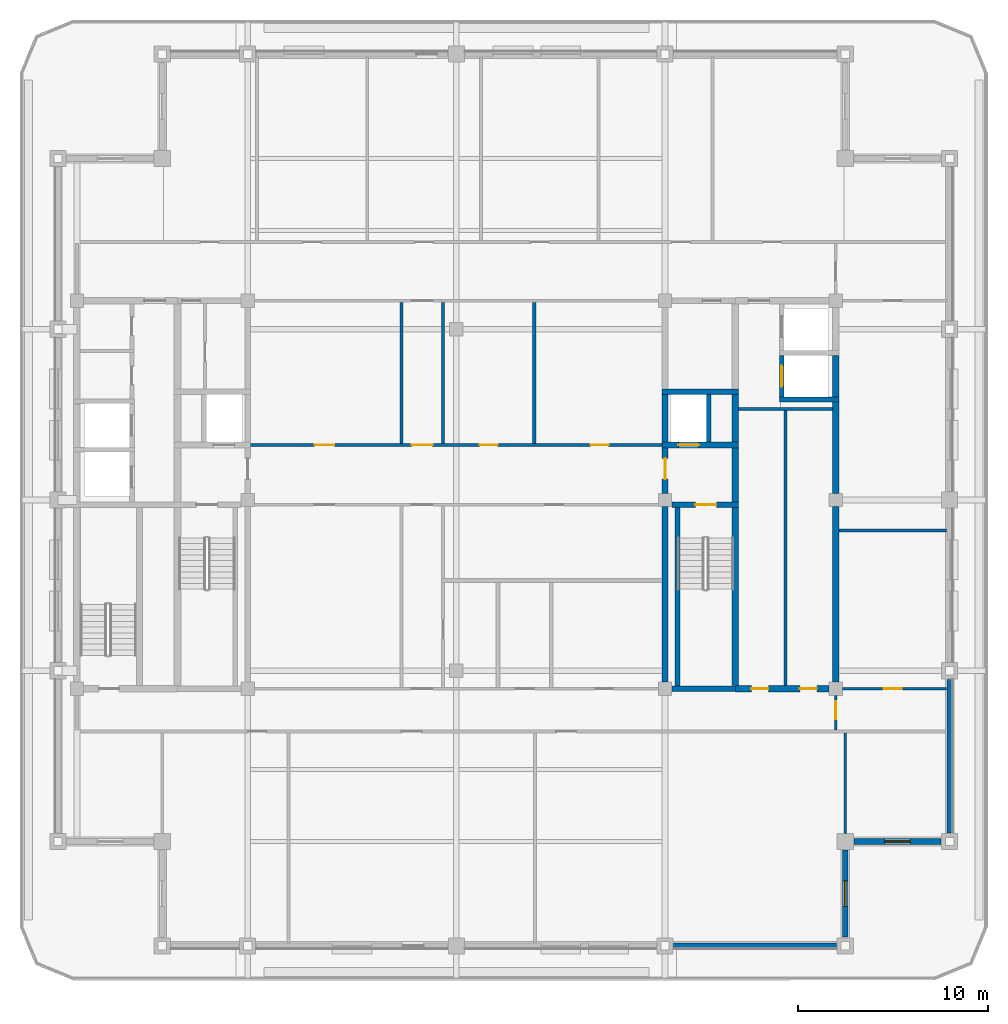
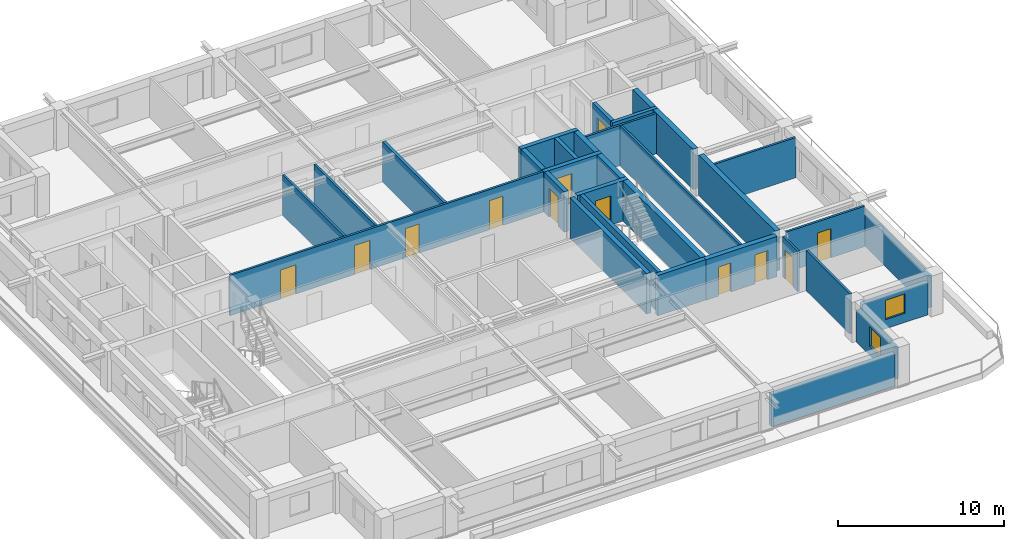
# One storey, part 4 of 11: 32 walls, 12 doors, 2 windows, 14 openings.
"""IFC4 building model written with IfcOpenShell, lengths in metres."""

from ifc_helpers import new_model, si_unit, direction, frame, frame_2d, origin, place, context, subcontext, project, spatial, rectangle, extrude, material, layer, layer_set, type_object, element, fill, save


model = new_model("IFC4")

# Units and contexts
model_context = context("Model", 3, precision=1e-05, world=origin(), true_north=direction((0.0, 1.0)))
body_context = subcontext(model_context, "Body", "Model", "MODEL_VIEW")
ifc_project = project(units=[si_unit("LENGTHUNIT", "METRE"), si_unit("AREAUNIT", "SQUARE_METRE"), si_unit("VOLUMEUNIT", "CUBIC_METRE"), si_unit("PLANEANGLEUNIT", "RADIAN"), si_unit("MASSUNIT", "GRAM", prefix="KILO")], contexts=[model_context])

# Site, building, storey
site_placement = place(None, origin())
site = spatial("IfcSite", under=ifc_project, at=site_placement, CompositionType="ELEMENT")
building_placement = place(site_placement, origin())
building = spatial("IfcBuilding", under=site, at=building_placement, Name="Zulmaris Gate Convention Tower", CompositionType="ELEMENT")
storey_placement = place(building_placement, frame((0.0, 0.0, 239.739990234375)))
storey = spatial("IfcBuildingStorey", under=building, at=storey_placement, Name="L63", CompositionType="ELEMENT", Elevation=239.739990234375)

# Walls
ifc_material_1 = material(Name="Concrete C50/60", Category="concrete")
ifc_layer_1 = layer(ifc_material_1, 0.25, Name="Concrete C50/60")
ifc_layer_set_1 = layer_set([ifc_layer_1], Name="Concrete C50/60")
wall_type_1 = type_object("IfcWallType", Name="CORE-250", PredefinedType="SOLIDWALL", material=ifc_layer_set_1)
wall_1_placement = place(storey_placement, frame((17.02490234375, 5.300048828125, 0.0), z_axis=(0.0, 0.0, 1.0), x_axis=(1.0, 0.0, 0.0)))
element("IfcWall", 1, at=wall_1_placement, inside=storey, type_object=wall_type_1, Name="WL-L63-011", PredefinedType="SOLIDWALL", context=body_context, shape_type="SweptSolid", body=[
    extrude(rectangle(XDim=3.150146484375, YDim=0.25, at=frame_2d((1.5751953125, 0.0))), origin(), (0.0, 0.0, 1.0), 2.97998046875),
])
wall_2_placement = place(storey_placement, frame((11.64990234375, -9.798095703125, 0.0), z_axis=(0.0, 0.0, 1.0), x_axis=(0.0, 1.0, 0.0)))
element("IfcWall", 2, at=wall_2_placement, inside=storey, type_object=wall_type_1, Name="WL-L63-052", PredefinedType="SOLIDWALL", context=body_context, shape_type="SweptSolid", body=[
    extrude(rectangle(XDim=9.39599609375, YDim=0.25, at=frame_2d((4.697998046875, 0.0))), origin(), (0.0, 0.0, 1.0), 2.97998046875),
])
wall_3_placement = place(storey_placement, frame((13.300048828125, 3.052001953125, 0.0), z_axis=(0.0, 0.0, 1.0), x_axis=(0.0, 1.0, 0.0)))
element("IfcWall", 3, at=wall_3_placement, inside=storey, type_object=wall_type_1, Name="WL-L63-053", PredefinedType="SOLIDWALL", context=body_context, shape_type="SweptSolid", body=[
    extrude(rectangle(XDim=2.49609375, YDim=0.25, at=frame_2d((1.248046875, 0.0))), origin(), (0.0, 0.0, 1.0), 2.97998046875),
])

# Wall, opening, door
wall_4_placement = place(storey_placement, frame((17.14990234375, 5.427001953125, 0.0), z_axis=(0.0, 0.0, 1.0), x_axis=(0.0, 1.0, 0.0)))
wall_4 = element("IfcWall", 4, at=wall_4_placement, inside=storey, type_object=wall_type_1, Name="WL-L63-058", PredefinedType="SOLIDWALL", context=body_context, shape_type="SweptSolid", body=[
    extrude(rectangle(XDim=2.196044921875, YDim=0.25, at=frame_2d((1.09814453125, 0.0))), origin(), (0.0, 0.0, 1.0), 2.97998046875),
])
opening_1_placement = place(wall_4_placement, frame((0.548095703125, 0.0, 0.0)))
opening_1 = element("IfcOpeningElement", 5, at=opening_1_placement, cuts=wall_4, Name="Opening D-06", PredefinedType="OPENING", context=body_context, shape_type="SweptSolid", body=[
    extrude(rectangle(XDim=1.10009765625, YDim=2.199951171875, at=frame_2d((0.550048828125, 1.10009765625))), frame((0.0, 0.135009765625, 0.0), z_axis=(0.0, -1.0, 0.0), x_axis=(1.0, 0.0, 0.0)), (0.0, 0.0, 1.0), 0.27001953125),
])
ifc_material_2 = material(Name="Brushed Stainless Steel", Category="steel")
door_type_1 = type_object("IfcDoorType", Name="LD-1100", OperationType="NOTDEFINED", PredefinedType="DOOR", material=ifc_material_2)
door_1_placement = place(opening_1_placement, origin())
door_1 = element("IfcDoor", 6, at=door_1_placement, inside=storey, type_object=door_type_1, Name="L63 Lift Landing Door HP-01 16", OperationType="SLIDING_TO_RIGHT", OverallHeight=2.199951171875, OverallWidth=1.10009765625, PredefinedType="DOOR", context=body_context, shape_type="SweptSolid", body=[
    extrude(rectangle(XDim=1.10009765625, YDim=2.199951171875, at=frame_2d((0.550048828125, 1.10009765625))), frame((0.0, 0.02490234375, 0.0), z_axis=(0.0, -1.0, 0.0), x_axis=(1.0, 0.0, 0.0)), (0.0, 0.0, 1.0), 0.050048828125),
])
fill(opening_1, door_1)

# Wall
ifc_layer_2 = layer(ifc_material_1, 0.300048828125, Name="Concrete C50/60")
ifc_layer_set_2 = layer_set([ifc_layer_2], Name="Concrete C50/60")
wall_type_2 = type_object("IfcWallType", Name="CORE-300", PredefinedType="SHEAR", material=ifc_layer_set_2)
wall_5_placement = place(storey_placement, frame((11.35400390625, -9.949951171875, 0.0), z_axis=(0.0, 0.0, 1.0), x_axis=(1.0, 0.0, 0.0)))
element("IfcWall", 7, at=wall_5_placement, inside=storey, type_object=wall_type_2, Name="WL-L63-003", PredefinedType="SHEAR", context=body_context, shape_type="SweptSolid", body=[
    extrude(rectangle(XDim=3.345947265625, YDim=0.300048828125, at=frame_2d((1.6728515625, 0.0))), origin(), (0.0, 0.0, 1.0), 2.97998046875),
])

# Wall, opening, door
wall_6_placement = place(storey_placement, frame((11.35400390625, -0.25, 0.0), z_axis=(0.0, 0.0, 1.0), x_axis=(1.0, 0.0, 0.0)))
wall_6 = element("IfcWall", 8, at=wall_6_placement, inside=storey, type_object=wall_type_2, Name="WL-L63-006", PredefinedType="SHEAR", context=body_context, shape_type="SweptSolid", body=[
    extrude(rectangle(XDim=3.52099609375, YDim=0.300048828125, at=frame_2d((1.760498046875, 0.0))), origin(), (0.0, 0.0, 1.0), 2.97998046875),
])
opening_2_placement = place(wall_6_placement, frame((1.24609375, 0.0, 0.0)))
opening_2 = element("IfcOpeningElement", 9, at=opening_2_placement, cuts=wall_6, Name="Opening D-08", PredefinedType="OPENING", context=body_context, shape_type="SweptSolid", body=[
    extrude(rectangle(XDim=1.10009765625, YDim=2.14990234375, at=frame_2d((0.550048828125, 1.074951171875))), frame((0.0, 0.16015625, 0.0), z_axis=(0.0, -1.0, 0.0), x_axis=(1.0, 0.0, 0.0)), (0.0, 0.0, 1.0), 0.320068359375),
])
ifc_material_3 = material(Name="Fire-Rated Steel", Category="steel")
door_type_2 = type_object("IfcDoorType", Name="DR-1100-FD", OperationType="NOTDEFINED", PredefinedType="DOOR", material=ifc_material_3)
door_2_placement = place(opening_2_placement, origin())
door_2 = element("IfcDoor", 10, at=door_2_placement, inside=storey, type_object=door_type_2, Name="L63 Exit Stair ST-2 Door 04", OperationType="SINGLE_SWING_RIGHT", OverallHeight=2.14990234375, OverallWidth=1.10009765625, PredefinedType="DOOR", context=body_context, shape_type="SweptSolid", body=[
    extrude(rectangle(XDim=1.10009765625, YDim=2.14990234375, at=frame_2d((0.550048828125, 1.074951171875))), frame((0.0, 0.02490234375, 0.0), z_axis=(0.0, -1.0, 0.0), x_axis=(1.0, 0.0, 0.0)), (0.0, 0.0, 1.0), 0.050048828125),
])
fill(opening_2, door_2)

wall_7_placement = place(storey_placement, frame((10.85009765625, 2.89990234375, 0.0), z_axis=(0.0, 0.0, 1.0), x_axis=(1.0, 0.0, 0.0)))
wall_7 = element("IfcWall", 11, at=wall_7_placement, inside=storey, type_object=wall_type_2, Name="WL-L63-009", PredefinedType="SHEAR", context=body_context, shape_type="SweptSolid", body=[
    extrude(rectangle(XDim=4.02490234375, YDim=0.300048828125, at=frame_2d((2.012451171875, 0.0))), origin(), (0.0, 0.0, 1.0), 2.97998046875),
])
opening_3_placement = place(wall_7_placement, frame((0.85009765625, 0.0, 0.0)))
opening_3 = element("IfcOpeningElement", 12, at=opening_3_placement, cuts=wall_7, Name="Opening D-06", PredefinedType="OPENING", context=body_context, shape_type="SweptSolid", body=[
    extrude(rectangle(XDim=1.10009765625, YDim=2.199951171875, at=frame_2d((0.550048828125, 1.10009765625))), frame((0.0, 0.16015625, 0.0), z_axis=(0.0, -1.0, 0.0), x_axis=(1.0, 0.0, 0.0)), (0.0, 0.0, 1.0), 0.320068359375),
])
door_3_placement = place(opening_3_placement, origin())
door_3 = element("IfcDoor", 13, at=door_3_placement, inside=storey, type_object=door_type_1, Name="L63 Lift Landing Door LF-02 06", OperationType="SLIDING_TO_RIGHT", OverallHeight=2.199951171875, OverallWidth=1.10009765625, PredefinedType="DOOR", context=body_context, shape_type="SweptSolid", body=[
    extrude(rectangle(XDim=1.10009765625, YDim=2.199951171875, at=frame_2d((0.550048828125, 1.10009765625))), frame((0.0, 0.02490234375, 0.0), z_axis=(0.0, -1.0, 0.0), x_axis=(1.0, 0.0, 0.0)), (0.0, 0.0, 1.0), 0.050048828125),
])
fill(opening_3, door_3)

# Walls
wall_8_placement = place(storey_placement, frame((10.85009765625, 5.699951171875, 0.0), z_axis=(0.0, 0.0, 1.0), x_axis=(1.0, 0.0, 0.0)))
element("IfcWall", 14, at=wall_8_placement, inside=storey, type_object=wall_type_2, Name="WL-L63-013", PredefinedType="SHEAR", context=body_context, shape_type="SweptSolid", body=[
    extrude(rectangle(XDim=4.02490234375, YDim=0.300048828125, at=frame_2d((2.012451171875, 0.0))), origin(), (0.0, 0.0, 1.0), 2.97998046875),
])
wall_9_placement = place(storey_placement, frame((11.0, -9.595947265625, 0.0), z_axis=(0.0, 0.0, 1.0), x_axis=(0.0, 1.0, 0.0)))
element("IfcWall", 15, at=wall_9_placement, inside=storey, type_object=wall_type_2, Name="WL-L63-048", PredefinedType="SHEAR", context=body_context, shape_type="SweptSolid", body=[
    extrude(rectangle(XDim=9.241943359375, YDim=0.300048828125, at=frame_2d((4.62109375, 0.0))), origin(), (0.0, 0.0, 1.0), 2.97998046875),
])

# Wall, opening, door
wall_10_placement = place(storey_placement, frame((11.0, 0.35400390625, 0.0), z_axis=(0.0, 0.0, 1.0), x_axis=(0.0, 1.0, 0.0)))
wall_10 = element("IfcWall", 16, at=wall_10_placement, inside=storey, type_object=wall_type_2, Name="WL-L63-049", PredefinedType="SHEAR", context=body_context, shape_type="SweptSolid", body=[
    extrude(rectangle(XDim=2.39404296875, YDim=0.300048828125, at=frame_2d((1.197021484375, 0.0))), origin(), (0.0, 0.0, 1.0), 2.97998046875),
])
opening_4_placement = place(wall_10_placement, frame((0.74609375, 0.0, 0.0)))
opening_4 = element("IfcOpeningElement", 17, at=opening_4_placement, cuts=wall_10, Name="Opening D-08", PredefinedType="OPENING", context=body_context, shape_type="SweptSolid", body=[
    extrude(rectangle(XDim=1.10009765625, YDim=2.14990234375, at=frame_2d((0.550048828125, 1.074951171875))), frame((0.0, 0.16015625, 0.0), z_axis=(0.0, -1.0, 0.0), x_axis=(1.0, 0.0, 0.0)), (0.0, 0.0, 1.0), 0.320068359375),
])
door_4_placement = place(opening_4_placement, origin())
door_4 = element("IfcDoor", 18, at=door_4_placement, inside=storey, type_object=door_type_2, Name="L63 East Firefighting Lobby Door 05", OperationType="SINGLE_SWING_LEFT", OverallHeight=2.14990234375, OverallWidth=1.10009765625, PredefinedType="DOOR", context=body_context, shape_type="SweptSolid", body=[
    extrude(rectangle(XDim=1.10009765625, YDim=2.14990234375, at=frame_2d((0.550048828125, 1.074951171875))), frame((0.0, 0.02490234375, 0.0), z_axis=(0.0, -1.0, 0.0), x_axis=(1.0, 0.0, 0.0)), (0.0, 0.0, 1.0), 0.050048828125),
])
fill(opening_4, door_4)

# Wall
wall_11_placement = place(storey_placement, frame((11.0, 3.052001953125, 0.0), z_axis=(0.0, 0.0, 1.0), x_axis=(0.0, 1.0, 0.0)))
element("IfcWall", 19, at=wall_11_placement, inside=storey, type_object=wall_type_2, Name="WL-L63-050", PredefinedType="SHEAR", context=body_context, shape_type="SweptSolid", body=[
    extrude(rectangle(XDim=2.49609375, YDim=0.300048828125, at=frame_2d((1.248046875, 0.0))), origin(), (0.0, 0.0, 1.0), 2.97998046875),
])

# Wall, openings, doors
ifc_material_4 = material(Name="Concrete C55/67", Category="concrete")
ifc_layer_3 = layer(ifc_material_4, 0.35009765625, Name="Concrete C55/67")
ifc_layer_set_3 = layer_set([ifc_layer_3], Name="Concrete C55/67")
wall_type_3 = type_object("IfcWallType", Name="CORE-350", PredefinedType="SHEAR", material=ifc_layer_set_3)
wall_12_placement = place(storey_placement, frame((14.699951171875, -9.949951171875, 0.0), z_axis=(0.0, 0.0, 1.0), x_axis=(1.0, 0.0, 0.0)))
wall_12 = element("IfcWall", 20, at=wall_12_placement, inside=storey, type_object=wall_type_3, Name="WL-L63-004", PredefinedType="SHEAR", context=body_context, shape_type="SweptSolid", body=[
    extrude(rectangle(XDim=4.946044921875, YDim=0.35009765625, at=frame_2d((2.47314453125, 0.0))), origin(), (0.0, 0.0, 1.0), 2.97998046875),
])
opening_5_placement = place(wall_12_placement, frame((0.85009765625, 0.0, 0.0)))
opening_5 = element("IfcOpeningElement", 21, at=opening_5_placement, cuts=wall_12, Name="Opening D-12", PredefinedType="OPENING", context=body_context, shape_type="SweptSolid", body=[
    extrude(rectangle(XDim=0.89990234375, YDim=2.14990234375, at=frame_2d((0.449951171875, 1.074951171875))), frame((0.0, 0.18505859375, 0.0), z_axis=(0.0, -1.0, 0.0), x_axis=(1.0, 0.0, 0.0)), (0.0, 0.0, 1.0), 0.3701171875),
])
opening_6_placement = place(wall_12_placement, frame((3.39990234375, 0.0, 0.0)))
opening_6 = element("IfcOpeningElement", 22, at=opening_6_placement, cuts=wall_12, Name="Opening D-12", PredefinedType="OPENING", context=body_context, shape_type="SweptSolid", body=[
    extrude(rectangle(XDim=0.89990234375, YDim=2.14990234375, at=frame_2d((0.449951171875, 1.074951171875))), frame((0.0, 0.18505859375, 0.0), z_axis=(0.0, -1.0, 0.0), x_axis=(1.0, 0.0, 0.0)), (0.0, 0.0, 1.0), 0.3701171875),
])
ifc_material_5 = material(Name="Fire-Rated Timber", Category="wood")
door_type_3 = type_object("IfcDoorType", Name="DR-900-FD", OperationType="NOTDEFINED", PredefinedType="DOOR", material=ifc_material_5)
door_5_placement = place(opening_5_placement, origin())
door_5 = element("IfcDoor", 23, at=door_5_placement, inside=storey, type_object=door_type_3, Name="L63 Service Pantry Door 19", OperationType="SINGLE_SWING_RIGHT", OverallHeight=2.14990234375, OverallWidth=0.89990234375, PredefinedType="DOOR", context=body_context, shape_type="SweptSolid", body=[
    extrude(rectangle(XDim=0.89990234375, YDim=2.14990234375, at=frame_2d((0.449951171875, 1.074951171875))), frame((0.0, 0.02490234375, 0.0), z_axis=(0.0, -1.0, 0.0), x_axis=(1.0, 0.0, 0.0)), (0.0, 0.0, 1.0), 0.050048828125),
])
fill(opening_5, door_5)
door_6_placement = place(opening_6_placement, origin())
door_6 = element("IfcDoor", 24, at=door_6_placement, inside=storey, type_object=door_type_3, Name="L63 Linen Store Door 20", OperationType="SINGLE_SWING_LEFT", OverallHeight=2.14990234375, OverallWidth=0.89990234375, PredefinedType="DOOR", context=body_context, shape_type="SweptSolid", body=[
    extrude(rectangle(XDim=0.89990234375, YDim=2.14990234375, at=frame_2d((0.449951171875, 1.074951171875))), frame((0.0, 0.02490234375, 0.0), z_axis=(0.0, -1.0, 0.0), x_axis=(1.0, 0.0, 0.0)), (0.0, 0.0, 1.0), 0.050048828125),
])
fill(opening_6, door_6)

# Walls
wall_13_placement = place(storey_placement, frame((14.699951171875, -9.77294921875, 0.0), z_axis=(0.0, 0.0, 1.0), x_axis=(0.0, 1.0, 0.0)))
element("IfcWall", 25, at=wall_13_placement, inside=storey, type_object=wall_type_3, Name="WL-L63-054", PredefinedType="SHEAR", context=body_context, shape_type="SweptSolid", body=[
    extrude(rectangle(XDim=9.370849609375, YDim=0.35009765625, at=frame_2d((4.685546875, 0.0))), origin(), (0.0, 0.0, 1.0), 2.97998046875),
])
wall_14_placement = place(storey_placement, frame((14.699951171875, -0.097900390625, 0.0), z_axis=(0.0, 0.0, 1.0), x_axis=(0.0, 1.0, 0.0)))
element("IfcWall", 26, at=wall_14_placement, inside=storey, type_object=wall_type_3, Name="WL-L63-055", PredefinedType="SHEAR", context=body_context, shape_type="SweptSolid", body=[
    extrude(rectangle(XDim=2.845947265625, YDim=0.35009765625, at=frame_2d((1.4228515625, 0.0))), origin(), (0.0, 0.0, 1.0), 2.97998046875),
])
wall_15_placement = place(storey_placement, frame((14.699951171875, 3.052001953125, 0.0), z_axis=(0.0, 0.0, 1.0), x_axis=(0.0, 1.0, 0.0)))
element("IfcWall", 27, at=wall_15_placement, inside=storey, type_object=wall_type_3, Name="WL-L63-056", PredefinedType="SHEAR", context=body_context, shape_type="SweptSolid", body=[
    extrude(rectangle(XDim=2.49609375, YDim=0.35009765625, at=frame_2d((1.248046875, 0.0))), origin(), (0.0, 0.0, 1.0), 2.97998046875),
])
wall_16_placement = place(storey_placement, frame((20.0, -9.595947265625, 0.0), z_axis=(0.0, 0.0, 1.0), x_axis=(0.0, 1.0, 0.0)))
element("IfcWall", 28, at=wall_16_placement, inside=storey, type_object=wall_type_3, Name="WL-L63-060", PredefinedType="SHEAR", context=body_context, shape_type="SweptSolid", body=[
    extrude(rectangle(XDim=9.241943359375, YDim=0.35009765625, at=frame_2d((4.62109375, 0.0))), origin(), (0.0, 0.0, 1.0), 2.97998046875),
])
wall_17_placement = place(storey_placement, frame((20.0, 0.35400390625, 0.0), z_axis=(0.0, 0.0, 1.0), x_axis=(0.0, 1.0, 0.0)))
element("IfcWall", 29, at=wall_17_placement, inside=storey, type_object=wall_type_3, Name="WL-L63-060S1", PredefinedType="SHEAR", context=body_context, shape_type="SweptSolid", body=[
    extrude(rectangle(XDim=4.819091796875, YDim=0.35009765625, at=frame_2d((2.40966796875, 0.0))), origin(), (0.0, 0.0, 1.0), 2.97998046875),
])
wall_18_placement = place(storey_placement, frame((20.0, 5.427001953125, 0.0), z_axis=(0.0, 0.0, 1.0), x_axis=(0.0, 1.0, 0.0)))
element("IfcWall", 30, at=wall_18_placement, inside=storey, type_object=wall_type_3, Name="WL-L63-061", PredefinedType="SHEAR", context=body_context, shape_type="SweptSolid", body=[
    extrude(rectangle(XDim=2.196044921875, YDim=0.35009765625, at=frame_2d((1.09814453125, 0.0))), origin(), (0.0, 0.0, 1.0), 2.97998046875),
])

# Wall, opening, door
ifc_material_6 = material(Name="Gypsum Metal Stud Partition")
ifc_layer_4 = layer(ifc_material_6, 0.14990234375, Name="Gypsum Metal Stud Partition")
ifc_layer_set_4 = layer_set([ifc_layer_4], Name="Gypsum Metal Stud Partition")
wall_type_4 = type_object("IfcWallType", Name="PART-150", PredefinedType="PARTITIONING", material=ifc_layer_set_4)
wall_19_placement = place(storey_placement, frame((20.35595703125, -9.949951171875, 0.0), z_axis=(0.0, 0.0, 1.0), x_axis=(1.0, 0.0, 0.0)))
wall_19 = element("IfcWall", 31, at=wall_19_placement, inside=storey, type_object=wall_type_4, Name="WL-L63-021", PredefinedType="PARTITIONING", context=body_context, shape_type="SweptSolid", body=[
    extrude(rectangle(XDim=5.47900390625, YDim=0.14990234375, at=frame_2d((2.739501953125, 0.0))), origin(), (0.0, 0.0, 1.0), 2.97998046875),
])
opening_7_placement = place(wall_19_placement, frame((2.1689453125, 0.0, 0.0)))
opening_7 = element("IfcOpeningElement", 32, at=opening_7_placement, cuts=wall_19, Name="Opening D-11", PredefinedType="OPENING", context=body_context, shape_type="SweptSolid", body=[
    extrude(rectangle(XDim=0.949951171875, YDim=2.14990234375, at=frame_2d((0.47509765625, 1.074951171875))), frame((0.0, 0.0849609375, 0.0), z_axis=(0.0, -1.0, 0.0), x_axis=(1.0, 0.0, 0.0)), (0.0, 0.0, 1.0), 0.169921875),
])
door_type_4 = type_object("IfcDoorType", Name="DR-950-FD", OperationType="NOTDEFINED", PredefinedType="DOOR", material=ifc_material_5)
door_7_placement = place(opening_7_placement, origin())
door_7 = element("IfcDoor", 33, at=door_7_placement, inside=storey, type_object=door_type_4, Name="L63 SE Partner Door 45", OperationType="SINGLE_SWING_RIGHT", OverallHeight=2.14990234375, OverallWidth=0.949951171875, PredefinedType="DOOR", context=body_context, shape_type="SweptSolid", body=[
    extrude(rectangle(XDim=0.949951171875, YDim=2.14990234375, at=frame_2d((0.47509765625, 1.074951171875))), frame((0.0, 0.02490234375, 0.0), z_axis=(0.0, -1.0, 0.0), x_axis=(1.0, 0.0, 0.0)), (0.0, 0.0, 1.0), 0.050048828125),
])
fill(opening_7, door_7)

# Wall
wall_20_placement = place(storey_placement, frame((20.177978515625, -1.60009765625, 0.0), z_axis=(0.0, 0.0, 1.0), x_axis=(1.0, 0.0, 0.0)))
element("IfcWall", 34, at=wall_20_placement, inside=storey, type_object=wall_type_4, Name="WL-L63-023", PredefinedType="PARTITIONING", context=body_context, shape_type="SweptSolid", body=[
    extrude(rectangle(XDim=5.656982421875, YDim=0.14990234375, at=frame_2d((2.82861328125, 0.0))), origin(), (0.0, 0.0, 1.0), 2.97998046875),
])

# Wall, openings, doors
wall_21_placement = place(storey_placement, frame((-11.0, 2.89990234375, 0.0), z_axis=(0.0, 0.0, 1.0), x_axis=(1.0, 0.0, 0.0)))
wall_21 = element("IfcWall", 35, at=wall_21_placement, inside=storey, type_object=wall_type_4, Name="WL-L63-025", PredefinedType="PARTITIONING", context=body_context, shape_type="SweptSolid", body=[
    extrude(rectangle(XDim=22.0, YDim=0.14990234375, at=frame_2d((11.0, 0.0))), origin(), (0.0, 0.0, 1.0), 2.97998046875),
])
opening_8_placement = place(wall_21_placement, frame((8.64990234375, 0.0, 0.0)))
opening_8 = element("IfcOpeningElement", 36, at=opening_8_placement, cuts=wall_21, Name="Opening D-08", PredefinedType="OPENING", context=body_context, shape_type="SweptSolid", body=[
    extrude(rectangle(XDim=1.10009765625, YDim=2.14990234375, at=frame_2d((0.550048828125, 1.074951171875))), frame((0.0, 0.0849609375, 0.0), z_axis=(0.0, -1.0, 0.0), x_axis=(1.0, 0.0, 0.0)), (0.0, 0.0, 1.0), 0.169921875),
])
opening_9_placement = place(wall_21_placement, frame((3.52490234375, 0.0, 0.0)))
opening_9 = element("IfcOpeningElement", 37, at=opening_9_placement, cuts=wall_21, Name="Opening D-09", PredefinedType="OPENING", context=body_context, shape_type="SweptSolid", body=[
    extrude(rectangle(XDim=1.050048828125, YDim=2.14990234375, at=frame_2d((0.52490234375, 1.074951171875))), frame((0.0, 0.0849609375, 0.0), z_axis=(0.0, -1.0, 0.0), x_axis=(1.0, 0.0, 0.0)), (0.0, 0.0, 1.0), 0.169921875),
])
opening_10_placement = place(wall_21_placement, frame((12.22509765625, 0.0, 0.0)))
opening_10 = element("IfcOpeningElement", 38, at=opening_10_placement, cuts=wall_21, Name="Opening D-11", PredefinedType="OPENING", context=body_context, shape_type="SweptSolid", body=[
    extrude(rectangle(XDim=0.949951171875, YDim=2.14990234375, at=frame_2d((0.47509765625, 1.074951171875))), frame((0.0, 0.0849609375, 0.0), z_axis=(0.0, -1.0, 0.0), x_axis=(1.0, 0.0, 0.0)), (0.0, 0.0, 1.0), 0.169921875),
])
opening_11_placement = place(wall_21_placement, frame((18.074951171875, 0.0, 0.0)))
opening_11 = element("IfcOpeningElement", 39, at=opening_11_placement, cuts=wall_21, Name="Opening D-11", PredefinedType="OPENING", context=body_context, shape_type="SweptSolid", body=[
    extrude(rectangle(XDim=0.949951171875, YDim=2.14990234375, at=frame_2d((0.47509765625, 1.074951171875))), frame((0.0, 0.0849609375, 0.0), z_axis=(0.0, -1.0, 0.0), x_axis=(1.0, 0.0, 0.0)), (0.0, 0.0, 1.0), 0.169921875),
])
door_type_5 = type_object("IfcDoorType", Name="DR-1050-FD", OperationType="NOTDEFINED", PredefinedType="DOOR", material=ifc_material_3)
door_8_placement = place(opening_9_placement, origin())
door_8 = element("IfcDoor", 40, at=door_8_placement, inside=storey, type_object=door_type_5, Name="L63 Reception Door 34", OperationType="SINGLE_SWING_LEFT", OverallHeight=2.14990234375, OverallWidth=1.050048828125, PredefinedType="DOOR", context=body_context, shape_type="SweptSolid", body=[
    extrude(rectangle(XDim=1.050048828125, YDim=2.14990234375, at=frame_2d((0.52490234375, 1.074951171875))), frame((0.0, 0.02490234375, 0.0), z_axis=(0.0, -1.0, 0.0), x_axis=(1.0, 0.0, 0.0)), (0.0, 0.0, 1.0), 0.050048828125),
])
fill(opening_9, door_8)
door_9_placement = place(opening_8_placement, origin())
door_9 = element("IfcDoor", 41, at=door_9_placement, inside=storey, type_object=door_type_2, Name="L63 Exec Cross North Door 23", OperationType="SINGLE_SWING_RIGHT", OverallHeight=2.14990234375, OverallWidth=1.10009765625, PredefinedType="DOOR", context=body_context, shape_type="SweptSolid", body=[
    extrude(rectangle(XDim=1.10009765625, YDim=2.14990234375, at=frame_2d((0.550048828125, 1.074951171875))), frame((0.0, 0.02490234375, 0.0), z_axis=(0.0, -1.0, 0.0), x_axis=(1.0, 0.0, 0.0)), (0.0, 0.0, 1.0), 0.050048828125),
])
fill(opening_8, door_9)
door_10_placement = place(opening_10_placement, origin())
door_10 = element("IfcDoor", 42, at=door_10_placement, inside=storey, type_object=door_type_4, Name="L63 Briefing Door 35", OperationType="SINGLE_SWING_RIGHT", OverallHeight=2.14990234375, OverallWidth=0.949951171875, PredefinedType="DOOR", context=body_context, shape_type="SweptSolid", body=[
    extrude(rectangle(XDim=0.949951171875, YDim=2.14990234375, at=frame_2d((0.47509765625, 1.074951171875))), frame((0.0, 0.02490234375, 0.0), z_axis=(0.0, -1.0, 0.0), x_axis=(1.0, 0.0, 0.0)), (0.0, 0.0, 1.0), 0.050048828125),
])
fill(opening_10, door_10)
door_11_placement = place(opening_11_placement, origin())
door_11 = element("IfcDoor", 43, at=door_11_placement, inside=storey, type_object=door_type_4, Name="L63 Dining Pantry Door 36", OperationType="SINGLE_SWING_LEFT", OverallHeight=2.14990234375, OverallWidth=0.949951171875, PredefinedType="DOOR", context=body_context, shape_type="SweptSolid", body=[
    extrude(rectangle(XDim=0.949951171875, YDim=2.14990234375, at=frame_2d((0.47509765625, 1.074951171875))), frame((0.0, 0.02490234375, 0.0), z_axis=(0.0, -1.0, 0.0), x_axis=(1.0, 0.0, 0.0)), (0.0, 0.0, 1.0), 0.050048828125),
])
fill(opening_11, door_11)

# Walls
wall_22_placement = place(storey_placement, frame((14.8779296875, 4.800048828125, 0.0), z_axis=(0.0, 0.0, 1.0), x_axis=(1.0, 0.0, 0.0)))
element("IfcWall", 44, at=wall_22_placement, inside=storey, type_object=wall_type_4, Name="WL-L63-026", PredefinedType="PARTITIONING", context=body_context, shape_type="SweptSolid", body=[
    extrude(rectangle(XDim=4.944091796875, YDim=0.14990234375, at=frame_2d((2.47216796875, 0.0))), origin(), (0.0, 0.0, 1.0), 2.97998046875),
])
for number, where, z_axis, x_axis, name in (
    (45, (-2.89990234375, 2.97802734375, 0.0), (0.0, 0.0, 1.0), (0.0, 1.0, 0.0), "WL-L63-073"),
    (46, (-0.699951171875, 2.97802734375, 0.0), (0.0, 0.0, 1.0), (0.0, 1.0, 0.0), "WL-L63-076"),
):
    element("IfcWall", number, at=place(storey_placement, frame(where, z_axis=z_axis, x_axis=x_axis)), inside=storey, type_object=wall_type_4, Name=name, PredefinedType="PARTITIONING", context=body_context, shape_type="SweptSolid", body=[
        extrude(rectangle(XDim=7.444091796875, YDim=0.14990234375, at=frame_2d((3.72216796875, 0.0))), origin(), (0.0, 0.0, 1.0), 2.97998046875),
    ])
wall_23_placement = place(storey_placement, frame((17.35009765625, -9.77197265625, 0.0), z_axis=(0.0, 0.0, 1.0), x_axis=(0.0, 1.0, 0.0)))
element("IfcWall", 47, at=wall_23_placement, inside=storey, type_object=wall_type_4, Name="WL-L63-084", PredefinedType="PARTITIONING", context=body_context, shape_type="SweptSolid", body=[
    extrude(rectangle(XDim=14.493896484375, YDim=0.14990234375, at=frame_2d((7.2470703125, 0.0))), origin(), (0.0, 0.0, 1.0), 2.97998046875),
])

# Wall, opening, door
wall_24_placement = place(storey_placement, frame((20.0, -12.1220703125, 0.0), z_axis=(0.0, 0.0, 1.0), x_axis=(0.0, 1.0, 0.0)))
wall_24 = element("IfcWall", 48, at=wall_24_placement, inside=storey, type_object=wall_type_4, Name="WL-L63-085", PredefinedType="PARTITIONING", context=body_context, shape_type="SweptSolid", body=[
    extrude(rectangle(XDim=1.816162109375, YDim=0.14990234375, at=frame_2d((0.908203125, 0.0))), origin(), (0.0, 0.0, 1.0), 2.97998046875),
])
opening_12_placement = place(wall_24_placement, frame((0.576904296875, 0.0, 0.0)))
opening_12 = element("IfcOpeningElement", 49, at=opening_12_placement, cuts=wall_24, Name="Opening D-11", PredefinedType="OPENING", context=body_context, shape_type="SweptSolid", body=[
    extrude(rectangle(XDim=0.949951171875, YDim=2.14990234375, at=frame_2d((0.47509765625, 1.074951171875))), frame((0.0, 0.0849609375, 0.0), z_axis=(0.0, -1.0, 0.0), x_axis=(1.0, 0.0, 0.0)), (0.0, 0.0, 1.0), 0.169921875),
])
door_12_placement = place(opening_12_placement, origin())
door_12 = element("IfcDoor", 50, at=door_12_placement, inside=storey, type_object=door_type_4, Name="L63 SE Spur Door 43", OperationType="SINGLE_SWING_RIGHT", OverallHeight=2.14990234375, OverallWidth=0.949951171875, PredefinedType="DOOR", context=body_context, shape_type="SweptSolid", body=[
    extrude(rectangle(XDim=0.949951171875, YDim=2.14990234375, at=frame_2d((0.47509765625, 1.074951171875))), frame((0.0, 0.02490234375, 0.0), z_axis=(0.0, -1.0, 0.0), x_axis=(1.0, 0.0, 0.0)), (0.0, 0.0, 1.0), 0.050048828125),
])
fill(opening_12, door_12)

# Walls
wall_25_placement = place(storey_placement, frame((20.5, -17.569091796875, 0.0), z_axis=(0.0, 0.0, 1.0), x_axis=(0.0, 1.0, 0.0)))
element("IfcWall", 51, at=wall_25_placement, inside=storey, type_object=wall_type_4, Name="WL-L63-087", PredefinedType="PARTITIONING", context=body_context, shape_type="SweptSolid", body=[
    extrude(rectangle(XDim=5.291015625, YDim=0.14990234375, at=frame_2d((2.6455078125, 0.0))), origin(), (0.0, 0.0, 1.0), 2.97998046875),
])
ifc_material_7 = material(Name="Autoclaved Aerated Concrete Block and Plasterboard", Category="concrete")
ifc_layer_5 = layer(ifc_material_7, 0.199951171875, Name="Autoclaved Aerated Concrete Block and Plasterboard")
ifc_layer_set_5 = layer_set([ifc_layer_5], Name="Autoclaved Aerated Concrete Block and Plasterboard")
wall_type_5 = type_object("IfcWallType", Name="PART-200", PredefinedType="PARTITIONING", material=ifc_layer_set_5)
wall_26_placement = place(storey_placement, frame((4.10009765625, 2.97802734375, 0.0), z_axis=(0.0, 0.0, 1.0), x_axis=(0.0, 1.0, 0.0)))
element("IfcWall", 52, at=wall_26_placement, inside=storey, type_object=wall_type_5, Name="WL-L63-079", PredefinedType="PARTITIONING", context=body_context, shape_type="SweptSolid", body=[
    extrude(rectangle(XDim=7.444091796875, YDim=0.199951171875, at=frame_2d((3.72216796875, 0.0))), origin(), (0.0, 0.0, 1.0), 2.97998046875),
])

# Wall, opening, window
ifc_material_8 = material(Name="Precast concrete C40/50", Category="concrete")
ifc_layer_6 = layer(ifc_material_8, 0.300048828125, Name="Precast concrete C40/50")
ifc_layer_set_6 = layer_set([ifc_layer_6], Name="Precast concrete C40/50")
wall_type_6 = type_object("IfcWallType", Name="PRECAST-PIER-300", PredefinedType="STANDARD", material=ifc_layer_set_6)
wall_27_placement = place(storey_placement, frame((20.5, -23.044921875, 0.0), z_axis=(0.0, 0.0, 1.0), x_axis=(0.0, 1.0, 0.0)))
wall_27 = element("IfcWall", 53, at=wall_27_placement, inside=storey, type_object=wall_type_6, Name="EW-L63-NOTCH-SE1_0", PredefinedType="STANDARD", context=body_context, shape_type="SweptSolid", body=[
    extrude(rectangle(XDim=4.58984375, YDim=0.300048828125, at=frame_2d((2.294921875, 0.0))), origin(), (0.0, 0.0, 1.0), 2.3720703125),
])
opening_13_placement = place(wall_27_placement, frame((1.6201171875, 0.0, 0.679931640625)))
opening_13 = element("IfcOpeningElement", 54, at=opening_13_placement, cuts=wall_27, Name="Opening W-10", PredefinedType="OPENING", context=body_context, shape_type="SweptSolid", body=[
    extrude(rectangle(XDim=1.35009765625, YDim=1.419921875, at=frame_2d((0.675048828125, 0.7099609375))), frame((0.0, 0.16015625, 0.0), z_axis=(0.0, -1.0, 0.0), x_axis=(1.0, 0.0, 0.0)), (0.0, 0.0, 1.0), 0.320068359375),
])
ifc_material_9 = material(Name="Low-E Laminated Double Glazing in Aluminium Frame", Category="aluminium")
window_type = type_object("IfcWindowType", Name="WIN-1350x2000", PartitioningType="SINGLE_PANEL", PredefinedType="WINDOW", material=ifc_material_9)
window_1_placement = place(opening_13_placement, origin())
window_1 = element("IfcWindow", 55, at=window_1_placement, inside=storey, type_object=window_type, Name="WN-EW-L63-NOTCH-SE1_0", OverallHeight=1.419921875, OverallWidth=1.35009765625, PartitioningType="SINGLE_PANEL", PredefinedType="WINDOW", context=body_context, shape_type="SweptSolid", body=[
    extrude(rectangle(XDim=1.35009765625, YDim=1.419921875, at=frame_2d((0.675048828125, 0.7099609375))), frame((0.0, 0.030029296875, 0.0), z_axis=(0.0, -1.0, 0.0), x_axis=(1.0, 0.0, 0.0)), (0.0, 0.0, 1.0), 0.06005859375),
])
fill(opening_13, window_1)

wall_28_placement = place(storey_placement, frame((20.955078125, -18.0, 0.0), z_axis=(0.0, 0.0, 1.0), x_axis=(1.0, 0.0, 0.0)))
wall_28 = element("IfcWall", 56, at=wall_28_placement, inside=storey, type_object=wall_type_6, Name="EW-L63-NOTCH-SE2_0", PredefinedType="STANDARD", context=body_context, shape_type="SweptSolid", body=[
    extrude(rectangle(XDim=4.58984375, YDim=0.300048828125, at=frame_2d((2.294921875, 0.0))), origin(), (0.0, 0.0, 1.0), 2.3720703125),
])
opening_14_placement = place(wall_28_placement, frame((1.6201171875, 0.0, 0.679931640625)))
opening_14 = element("IfcOpeningElement", 57, at=opening_14_placement, cuts=wall_28, Name="Opening W-10", PredefinedType="OPENING", context=body_context, shape_type="SweptSolid", body=[
    extrude(rectangle(XDim=1.35009765625, YDim=1.419921875, at=frame_2d((0.675048828125, 0.7099609375))), frame((0.0, 0.16015625, 0.0), z_axis=(0.0, -1.0, 0.0), x_axis=(1.0, 0.0, 0.0)), (0.0, 0.0, 1.0), 0.320068359375),
])
window_2_placement = place(opening_14_placement, origin())
window_2 = element("IfcWindow", 58, at=window_2_placement, inside=storey, type_object=window_type, Name="WN-EW-L63-NOTCH-SE2_0", OverallHeight=1.419921875, OverallWidth=1.35009765625, PartitioningType="SINGLE_PANEL", PredefinedType="WINDOW", context=body_context, shape_type="SweptSolid", body=[
    extrude(rectangle(XDim=1.35009765625, YDim=1.419921875, at=frame_2d((0.675048828125, 0.7099609375))), frame((0.0, 0.030029296875, 0.0), z_axis=(0.0, -1.0, 0.0), x_axis=(1.0, 0.0, 0.0)), (0.0, 0.0, 1.0), 0.06005859375),
])
fill(opening_14, window_2)

# Walls
wall_29_placement = place(storey_placement, frame((11.455078125, -23.5, 0.0), z_axis=(0.0, 0.0, 1.0), x_axis=(1.0, 0.0, 0.0)))
element("IfcWall", 59, at=wall_29_placement, inside=storey, type_object=wall_type_6, Name="EW-L63-S-3_0", PredefinedType="STANDARD", context=body_context, shape_type="SweptSolid", body=[
    extrude(rectangle(XDim=8.58984375, YDim=0.300048828125, at=frame_2d((4.294921875, 0.0))), origin(), (0.0, 0.0, 1.0), 2.3720703125),
])
wall_30_placement = place(storey_placement, frame((26.0, -17.544921875, 0.0), z_axis=(0.0, 0.0, 1.0), x_axis=(0.0, 1.0, 0.0)))
element("IfcWall", 60, at=wall_30_placement, inside=storey, type_object=wall_type_6, Name="EW-L63-E-0_0", PredefinedType="STANDARD", context=body_context, shape_type="SweptSolid", body=[
    extrude(rectangle(XDim=8.08984375, YDim=0.300048828125, at=frame_2d((4.044921875, 0.0))), origin(), (0.0, 0.0, 1.0), 2.3720703125),
])

save(model, "model.ifc")
